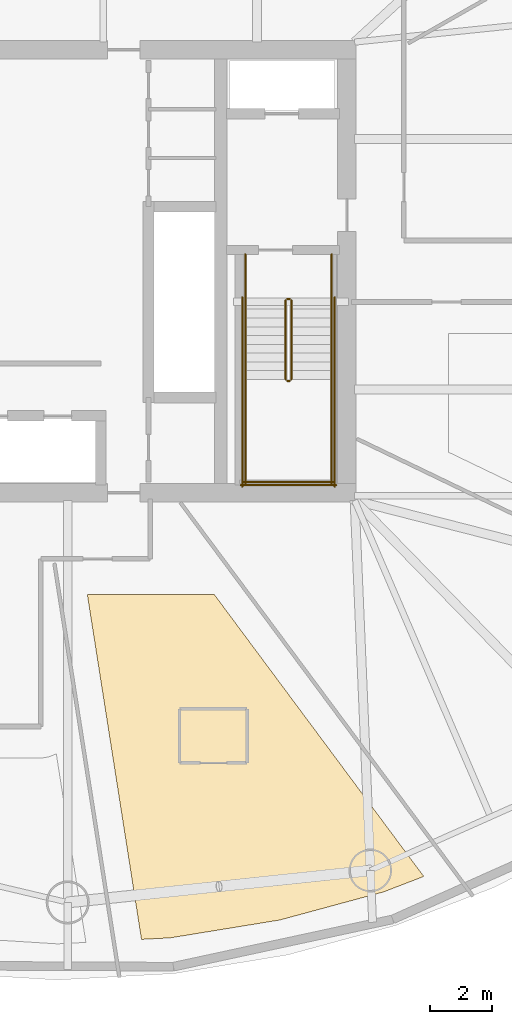
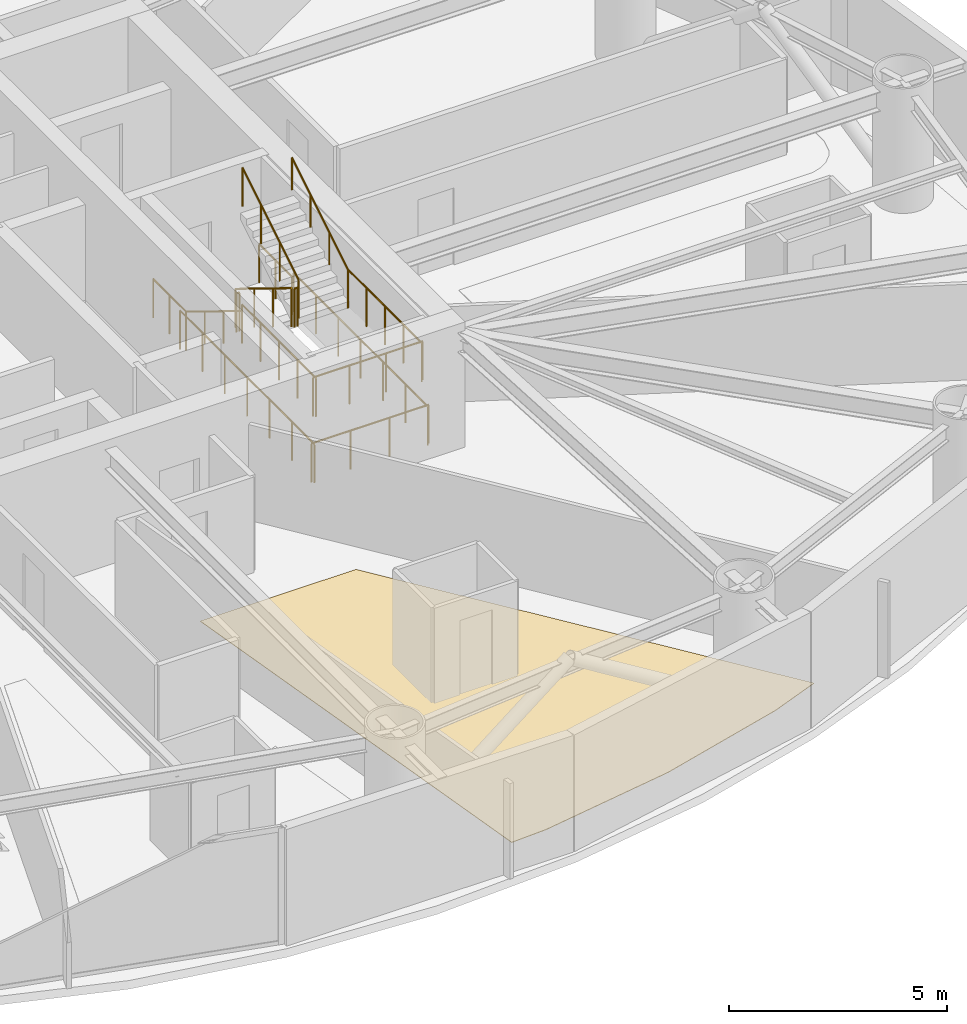
# One storey, part 21 of 22: 14 railings, 1 covering.
"""IFC4 building model written with IfcOpenShell, lengths in metres."""

from ifc_helpers import new_model, si_unit, direction, frame, origin, origin_2d, place, context, subcontext, project, spatial, polyline, circle, outline, extrude, material, layer, layer_set, type_object, element, save


model = new_model("IFC4")

# Units and contexts
model_context = context("Model", 3, precision=1e-05, world=origin(), true_north=direction((0.0, 1.0)))
body_context = subcontext(model_context, "Body", "Model", "MODEL_VIEW")
ifc_project = project(units=[si_unit("LENGTHUNIT", "METRE"), si_unit("AREAUNIT", "SQUARE_METRE"), si_unit("VOLUMEUNIT", "CUBIC_METRE"), si_unit("PLANEANGLEUNIT", "RADIAN"), si_unit("MASSUNIT", "GRAM", prefix="KILO")], contexts=[model_context])

# Site, building, storey
site_placement = place(None, origin())
site = spatial("IfcSite", under=ifc_project, at=site_placement, CompositionType="ELEMENT")
building_placement = place(site_placement, origin())
building = spatial("IfcBuilding", under=site, at=building_placement, Name="Bramvorn Convention Spire", CompositionType="ELEMENT")
storey_placement = place(building_placement, frame((0.0, 0.0, 120.300048828125)))
storey = spatial("IfcBuildingStorey", under=building, at=storey_placement, Name="L29", CompositionType="ELEMENT", Elevation=120.300048828125)

# Covering
ifc_material_1 = material(Name="Solution-Dyed Wool Broadloom Hospitality Carpet", Category="textile")
ifc_layer = layer(ifc_material_1, 0.014892578125)
ifc_layer_set = layer_set([ifc_layer], Name="Solution-Dyed Wool Broadloom Hospitality Carpet - FLR-CARPET-15")
covering_type = type_object("IfcCoveringType", Name="FLR-CARPET-15", PredefinedType="FLOORING", material=ifc_layer_set)
covering_placement = place(storey_placement, origin())
element("IfcCovering", 1, at=covering_placement, inside=storey, type_object=covering_type, Name="Hotel Suite 2911 wool broadloom carpet", PredefinedType="FLOORING", context=body_context, shape_type="SweptSolid", body=[
    extrude(outline(polyline([(50.194091796875, 5.82568359375), (51.497314453125, 6.326904296875), (44.68115234375, 15.5), (40.5595703125, 15.5), (42.321044921875, 4.281005859375), (43.260009765625, 4.331298828125), (46.819580078125, 4.911376953125), (50.194091796875, 5.82568359375)])), origin(), (0.0, 0.0, 1.0), 0.014892578125),
])

# Railings
ifc_material_2 = material(Name="Painted Steel Balustrade & Guardrail", Category="steel")
railing_type_1 = type_object("IfcRailingType", Name="RL-STAIR-GUARD-1100", PredefinedType="GUARDRAIL", material=ifc_material_2)
railing_1_placement = place(storey_placement, frame((47.010009765625, 25.050048828125, 0.175048828125)))
element("IfcRailing", 2, at=railing_1_placement, inside=storey, type_object=railing_type_1, Name="L29 ST2 stair guard 1", PredefinedType="GUARDRAIL", context=body_context, shape_type="SweptSolid", body=[
    extrude(circle(Radius=0.02392578125, at=origin_2d()), frame((0.0, 0.0, 1.076171875), z_axis=(0.0, -0.852173129349, 0.523259933127), x_axis=(1.0, 0.0, 0.0)), (0.0, 0.0, 1.0), 3.009765625),
    extrude(circle(Radius=0.02099609375, at=origin_2d()), origin(), (0.0, 0.0, 1.0), 1.052001953125),
    extrude(circle(Radius=0.02099609375, at=origin_2d()), frame((0.0, -0.85498046875, 0.52490234375)), (0.0, 0.0, 1.0), 1.052001953125),
    extrude(circle(Radius=0.02099609375, at=origin_2d()), frame((0.0, -1.7099609375, 1.050048828125)), (0.0, 0.0, 1.0), 1.052001953125),
    extrude(circle(Radius=0.02099609375, at=origin_2d()), frame((0.0, -2.56494140625, 1.574951171875)), (0.0, 0.0, 1.0), 1.052001953125),
])
railing_2_placement = place(storey_placement, frame((47.06005859375, 22.43505859375, 1.75)))
element("IfcRailing", 3, at=railing_2_placement, inside=storey, type_object=railing_type_1, Name="L29 ST2 stair guard 2", PredefinedType="GUARDRAIL", context=body_context, shape_type="SweptSolid", body=[
    extrude(circle(Radius=0.02392578125, at=origin_2d()), frame((0.0, 0.0, 1.076171875), z_axis=(1.0, 0.0, 0.0), x_axis=(0.0, 1.0, 0.0)), (0.0, 0.0, 1.0), 0.079833984375),
    extrude(circle(Radius=0.02099609375, at=origin_2d()), origin(), (0.0, 0.0, 1.0), 1.052001953125),
    extrude(circle(Radius=0.02099609375, at=origin_2d()), frame((0.079833984375, 0.0, 0.0)), (0.0, 0.0, 1.0), 1.052001953125),
])
for number, where, name in (
    (4, (45.699951171875, 22.485107421875, 1.75), "L29 ST2 stair guard 3"),
    (5, (48.5, 22.485107421875, 1.75), "L29 ST2 stair guard 4"),
):
    element("IfcRailing", number, at=place(storey_placement, frame(where)), inside=storey, type_object=railing_type_1, Name=name, PredefinedType="GUARDRAIL", context=body_context, shape_type="SweptSolid", body=[
        extrude(circle(Radius=0.02392578125, at=origin_2d()), frame((0.0, 0.0, 1.076171875), z_axis=(0.0, -1.0, 0.0), x_axis=(1.0, 0.0, 0.0)), (0.0, 0.0, 1.0), 3.385009765625),
        extrude(circle(Radius=0.02099609375, at=origin_2d()), origin(), (0.0, 0.0, 1.0), 1.052001953125),
        extrude(circle(Radius=0.02099609375, at=origin_2d()), frame((0.0, -0.84619140625, 0.0)), (0.0, 0.0, 1.0), 1.052001953125),
        extrude(circle(Radius=0.02099609375, at=origin_2d()), frame((0.0, -1.6923828125, 0.0)), (0.0, 0.0, 1.0), 1.052001953125),
        extrude(circle(Radius=0.02099609375, at=origin_2d()), frame((0.0, -2.538818359375, 0.0)), (0.0, 0.0, 1.0), 1.052001953125),
        extrude(circle(Radius=0.02099609375, at=origin_2d()), frame((0.0, -3.385009765625, 0.0)), (0.0, 0.0, 1.0), 1.052001953125),
    ])
railing_3_placement = place(storey_placement, frame((45.64990234375, 19.14990234375, 1.75)))
element("IfcRailing", 6, at=railing_3_placement, inside=storey, type_object=railing_type_1, Name="L29 ST2 stair guard 5", PredefinedType="GUARDRAIL", context=body_context, shape_type="SweptSolid", body=[
    extrude(circle(Radius=0.02392578125, at=origin_2d()), frame((0.0, 0.0, 1.076171875), z_axis=(1.0, 0.0, 0.0), x_axis=(0.0, 1.0, 0.0)), (0.0, 0.0, 1.0), 2.900146484375),
    extrude(circle(Radius=0.02099609375, at=origin_2d()), origin(), (0.0, 0.0, 1.0), 1.052001953125),
    extrude(circle(Radius=0.02099609375, at=origin_2d()), frame((0.966796875, 0.0, 0.0)), (0.0, 0.0, 1.0), 1.052001953125),
    extrude(circle(Radius=0.02099609375, at=origin_2d()), frame((1.933349609375, 0.0, 0.0)), (0.0, 0.0, 1.0), 1.052001953125),
    extrude(circle(Radius=0.02099609375, at=origin_2d()), frame((2.900146484375, 0.0, 0.0)), (0.0, 0.0, 1.0), 1.052001953125),
])
railing_4_placement = place(storey_placement, frame((47.18994140625, 22.485107421875, 1.925048828125)))
element("IfcRailing", 7, at=railing_4_placement, inside=storey, type_object=railing_type_1, Name="L29 ST2 stair guard 6", PredefinedType="GUARDRAIL", context=body_context, shape_type="SweptSolid", body=[
    extrude(circle(Radius=0.02392578125, at=origin_2d()), frame((0.0, 0.0, 1.076171875), z_axis=(0.0, 0.852173129349, 0.523259933127), x_axis=(-1.0, 0.0, 0.0)), (0.0, 0.0, 1.0), 3.009765625),
    extrude(circle(Radius=0.02099609375, at=origin_2d()), origin(), (0.0, 0.0, 1.0), 1.052001953125),
    extrude(circle(Radius=0.02099609375, at=origin_2d()), frame((0.0, 0.85498046875, 0.52490234375)), (0.0, 0.0, 1.0), 1.052001953125),
    extrude(circle(Radius=0.02099609375, at=origin_2d()), frame((0.0, 1.7099609375, 1.050048828125)), (0.0, 0.0, 1.0), 1.052001953125),
    extrude(circle(Radius=0.02099609375, at=origin_2d()), frame((0.0, 2.56494140625, 1.574951171875)), (0.0, 0.0, 1.0), 1.052001953125),
])
railing_5_placement = place(storey_placement, frame((47.06005859375, 25.10009765625, 0.0)))
element("IfcRailing", 8, at=railing_5_placement, inside=storey, type_object=railing_type_1, Name="L29 ST2 stair guard 7", PredefinedType="GUARDRAIL", context=body_context, shape_type="SweptSolid", body=[
    extrude(circle(Radius=0.02392578125, at=origin_2d()), frame((0.0, 0.0, 1.076171875), z_axis=(1.0, 0.0, 0.0), x_axis=(0.0, 1.0, 0.0)), (0.0, 0.0, 1.0), 0.079833984375),
    extrude(circle(Radius=0.02099609375, at=origin_2d()), origin(), (0.0, 0.0, 1.0), 1.052001953125),
    extrude(circle(Radius=0.02099609375, at=origin_2d()), frame((0.079833984375, 0.0, 0.0)), (0.0, 0.0, 1.0), 1.052001953125),
])
for number, where, name in (
    (9, (45.699951171875, 26.550048828125, 0.0), "L29 ST2 stair guard 8"),
    (10, (48.5, 26.550048828125, 0.0), "L29 ST2 stair guard 9"),
):
    element("IfcRailing", number, at=place(storey_placement, frame(where)), inside=storey, type_object=railing_type_1, Name=name, PredefinedType="GUARDRAIL", context=body_context, shape_type="SweptSolid", body=[
        extrude(circle(Radius=0.02392578125, at=origin_2d()), frame((0.0, 0.0, 1.076171875), z_axis=(0.0, -1.0, 0.0), x_axis=(1.0, 0.0, 0.0)), (0.0, 0.0, 1.0), 1.5),
        extrude(circle(Radius=0.02099609375, at=origin_2d()), origin(), (0.0, 0.0, 1.0), 1.052001953125),
        extrude(circle(Radius=0.02099609375, at=origin_2d()), frame((0.0, -0.75, 0.0)), (0.0, 0.0, 1.0), 1.052001953125),
        extrude(circle(Radius=0.02099609375, at=origin_2d()), frame((0.0, -1.5, 0.0)), (0.0, 0.0, 1.0), 1.052001953125),
    ])
for number, where, name in (
    (11, (45.60009765625, 25.14990234375, 0.0), "L29 ST2 stair guard 10"),
    (12, (48.60009765625, 25.14990234375, 0.0), "L29 ST2 stair guard 11"),
):
    element("IfcRailing", number, at=place(storey_placement, frame(where)), inside=storey, type_object=railing_type_1, Name=name, PredefinedType="GUARDRAIL", context=body_context, shape_type="SweptSolid", body=[
        extrude(circle(Radius=0.02392578125, at=origin_2d()), frame((0.0, 0.0, 1.076171875), z_axis=(0.0, -1.0, 0.0), x_axis=(1.0, 0.0, 0.0)), (0.0, 0.0, 1.0), 6.14990234375),
        extrude(circle(Radius=0.02099609375, at=origin_2d()), origin(), (0.0, 0.0, 1.0), 1.052001953125),
        extrude(circle(Radius=0.02099609375, at=origin_2d()), frame((0.0, -1.02490234375, 0.0)), (0.0, 0.0, 1.0), 1.052001953125),
        extrude(circle(Radius=0.02099609375, at=origin_2d()), frame((0.0, -2.050048828125, 0.0)), (0.0, 0.0, 1.0), 1.052001953125),
        extrude(circle(Radius=0.02099609375, at=origin_2d()), frame((0.0, -3.074951171875, 0.0)), (0.0, 0.0, 1.0), 1.052001953125),
        extrude(circle(Radius=0.02099609375, at=origin_2d()), frame((0.0, -4.099853515625, 0.0)), (0.0, 0.0, 1.0), 1.052001953125),
        extrude(circle(Radius=0.02099609375, at=origin_2d()), frame((0.0, -5.125, 0.0)), (0.0, 0.0, 1.0), 1.052001953125),
        extrude(circle(Radius=0.02099609375, at=origin_2d()), frame((0.0, -6.14990234375, 0.0)), (0.0, 0.0, 1.0), 1.052001953125),
    ])
railing_6_placement = place(storey_placement, frame((45.550048828125, 19.050048828125, 0.0)))
element("IfcRailing", 13, at=railing_6_placement, inside=storey, type_object=railing_type_1, Name="L29 ST2 stair guard 12", PredefinedType="GUARDRAIL", context=body_context, shape_type="SweptSolid", body=[
    extrude(circle(Radius=0.02392578125, at=origin_2d()), frame((0.0, 0.0, 1.076171875), z_axis=(1.0, 0.0, 0.0), x_axis=(0.0, 1.0, 0.0)), (0.0, 0.0, 1.0), 3.099853515625),
    extrude(circle(Radius=0.02099609375, at=origin_2d()), origin(), (0.0, 0.0, 1.0), 1.052001953125),
    extrude(circle(Radius=0.02099609375, at=origin_2d()), frame((1.033203125, 0.0, 0.0)), (0.0, 0.0, 1.0), 1.052001953125),
    extrude(circle(Radius=0.02099609375, at=origin_2d()), frame((2.066650390625, 0.0, 0.0)), (0.0, 0.0, 1.0), 1.052001953125),
    extrude(circle(Radius=0.02099609375, at=origin_2d()), frame((3.099853515625, 0.0, 0.0)), (0.0, 0.0, 1.0), 1.052001953125),
])
ifc_material_3 = material(Name="Brushed Bronze Tubular Handrail", Category="aluminium")
railing_type_2 = type_object("IfcRailingType", Name="RL-STAIR-HR-920", PredefinedType="HANDRAIL", material=ifc_material_3)
railing_7_placement = place(storey_placement, frame((45.699951171875, 25.050048828125, 0.175048828125)))
element("IfcRailing", 14, at=railing_7_placement, inside=storey, type_object=railing_type_2, Name="L29 ST2 stair handrail 1", PredefinedType="HANDRAIL", context=body_context, shape_type="SweptSolid", body=[
    extrude(circle(Radius=0.02392578125, at=origin_2d()), frame((0.0, 0.0, 0.89599609375), z_axis=(0.0, -0.852173129349, 0.523259933127), x_axis=(1.0, 0.0, 0.0)), (0.0, 0.0, 1.0), 3.009765625),
    extrude(circle(Radius=0.02099609375, at=origin_2d()), origin(), (0.0, 0.0, 1.0), 0.871826171875),
    extrude(circle(Radius=0.02099609375, at=origin_2d()), frame((0.0, -0.85498046875, 0.52490234375)), (0.0, 0.0, 1.0), 0.871826171875),
    extrude(circle(Radius=0.02099609375, at=origin_2d()), frame((0.0, -1.7099609375, 1.050048828125)), (0.0, 0.0, 1.0), 0.871826171875),
    extrude(circle(Radius=0.02099609375, at=origin_2d()), frame((0.0, -2.56494140625, 1.574951171875)), (0.0, 0.0, 1.0), 0.871826171875),
])
railing_8_placement = place(storey_placement, frame((48.5, 22.485107421875, 1.925048828125)))
element("IfcRailing", 15, at=railing_8_placement, inside=storey, type_object=railing_type_2, Name="L29 ST2 stair handrail 2", PredefinedType="HANDRAIL", context=body_context, shape_type="SweptSolid", body=[
    extrude(circle(Radius=0.02392578125, at=origin_2d()), frame((0.0, 0.0, 0.89599609375), z_axis=(0.0, 0.852173129349, 0.523259933127), x_axis=(-1.0, 0.0, 0.0)), (0.0, 0.0, 1.0), 3.009765625),
    extrude(circle(Radius=0.02099609375, at=origin_2d()), origin(), (0.0, 0.0, 1.0), 0.871826171875),
    extrude(circle(Radius=0.02099609375, at=origin_2d()), frame((0.0, 0.85498046875, 0.52490234375)), (0.0, 0.0, 1.0), 0.871826171875),
    extrude(circle(Radius=0.02099609375, at=origin_2d()), frame((0.0, 1.7099609375, 1.050048828125)), (0.0, 0.0, 1.0), 0.871826171875),
    extrude(circle(Radius=0.02099609375, at=origin_2d()), frame((0.0, 2.56494140625, 1.574951171875)), (0.0, 0.0, 1.0), 0.871826171875),
])

save(model, "model.ifc")
